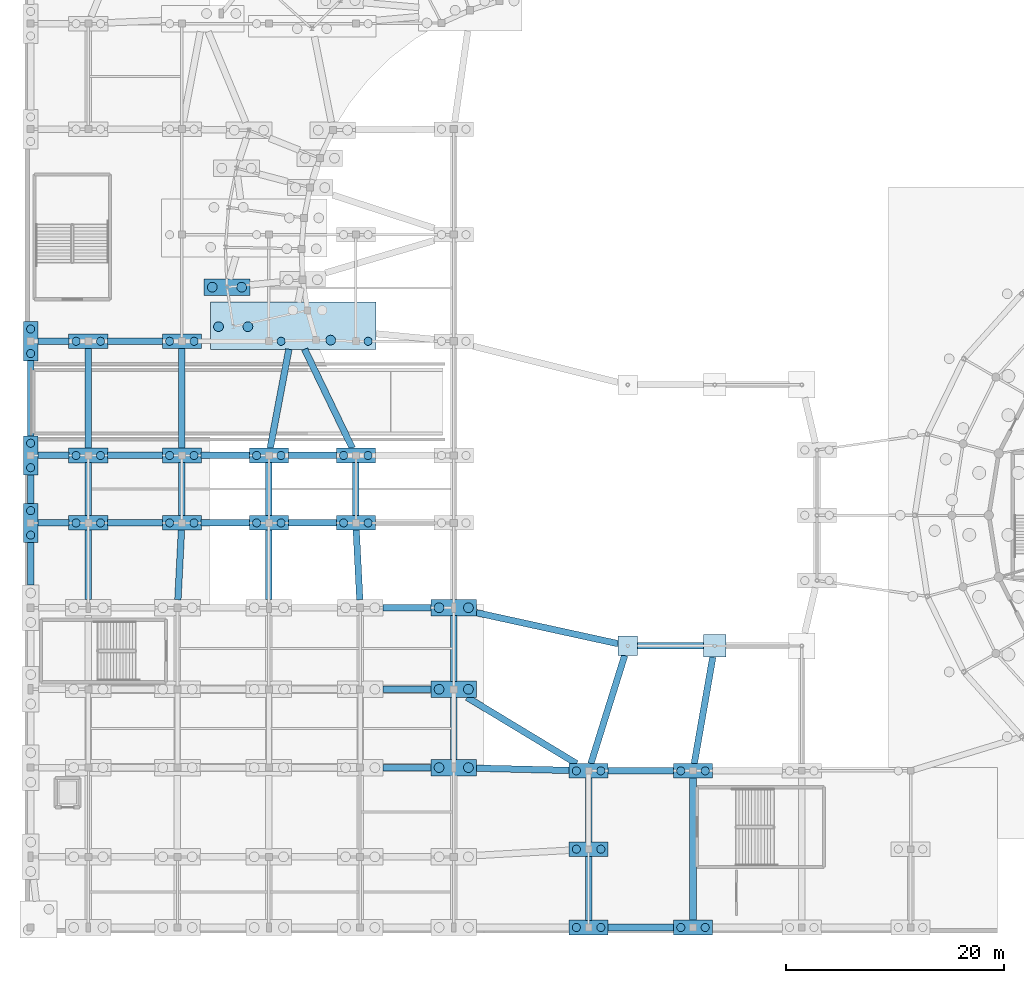
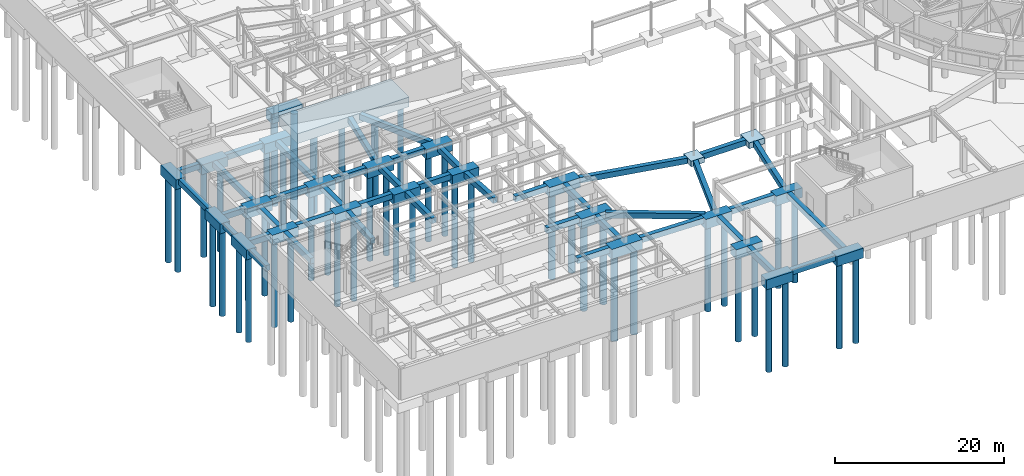
# One storey, part 2 of 68: 66 footings, 49 piles.
"""IFC4 building model written with IfcOpenShell, lengths in metres."""

from ifc_helpers import new_model, si_unit, direction, frame, origin, origin_2d, place, context, subcontext, project, spatial, rectangle, circle, extrude, material, layer, layer_set, material_profile, profile_set, type_object, element, save


model = new_model("IFC4")

# Units and contexts
model_context = context("Model", 3, precision=1e-05, world=origin(), true_north=direction((0.0, 1.0)))
body_context = subcontext(model_context, "Body", "Model", "MODEL_VIEW")
ifc_project = project(units=[si_unit("LENGTHUNIT", "METRE"), si_unit("AREAUNIT", "SQUARE_METRE"), si_unit("VOLUMEUNIT", "CUBIC_METRE"), si_unit("PLANEANGLEUNIT", "RADIAN"), si_unit("MASSUNIT", "GRAM", prefix="KILO")], contexts=[model_context])

# Site, building, storey
site_placement = place(None, origin())
site = spatial("IfcSite", under=ifc_project, at=site_placement, CompositionType="ELEMENT")
building_placement = place(site_placement, origin())
building = spatial("IfcBuilding", under=site, at=building_placement, Name="Cinderbank Siding Concert Hall", CompositionType="ELEMENT")
storey_placement = place(building_placement, frame((0.0, 0.0, -4.800048828125)))
storey = spatial("IfcBuildingStorey", under=building, at=storey_placement, Name="B1", CompositionType="ELEMENT", Elevation=-4.800048828125)

# Piles
ifc_material = material(Name="Reinforced concrete AS 3600 N40 (40 MPa)", Category="concrete")
ifc_material_profile_1 = material_profile(ifc_material, circle(Radius=0.375, at=origin_2d()), Name="PILE-750DIA", Category="LoadBearing")
ifc_profile_set_1 = profile_set([ifc_material_profile_1], Name="Reinforced concrete AS 3600 N40 (40 MPa)")
pile_type_1 = type_object("IfcPileType", Name="BP-750 Bored Pile 750mm", PredefinedType="BORED", material=ifc_profile_set_1)
for number, where, z_axis, x_axis, name in (
    (1, (30.125, 60.0, -1.300048828125), (0.0, 0.0, -1.0), (1.0, 0.0, 0.0), "Bored Pile BP-750 #219"),
    (2, (38.125, 60.0, -1.300048828125), (0.0, 0.0, -1.0), (1.0, 0.0, 0.0), "Bored Pile BP-750 #221"),
    (3, (57.27490234375, 6.10009765625, -1.300048828125), (0.0, 0.0, -1.0), (1.0, 0.0, 0.0), "Bored Pile BP-750 #399"),
    (4, (59.52490234375, 6.10009765625, -1.300048828125), (0.0, 0.0, -1.0), (1.0, 0.0, 0.0), "Bored Pile BP-750 #400"),
    (5, (57.27490234375, 13.300048828125, -1.300048828125), (0.0, 0.0, -1.0), (1.0, 0.0, 0.0), "Bored Pile BP-750 #401"),
    (6, (59.52490234375, 13.300048828125, -1.300048828125), (0.0, 0.0, -1.0), (1.0, 0.0, 0.0), "Bored Pile BP-750 #402"),
    (7, (57.27490234375, 20.5, -1.300048828125), (0.0, 0.0, -1.0), (1.0, 0.0, 0.0), "Bored Pile BP-750 #403"),
    (8, (59.52490234375, 20.5, -1.300048828125), (0.0, 0.0, -1.0), (1.0, 0.0, 0.0), "Bored Pile BP-750 #404"),
    (9, (66.875, 6.10009765625, -1.300048828125), (0.0, 0.0, -1.0), (1.0, 0.0, 0.0), "Bored Pile BP-750 #405"),
    (10, (69.125, 6.10009765625, -1.300048828125), (0.0, 0.0, -1.0), (1.0, 0.0, 0.0), "Bored Pile BP-750 #406"),
    (11, (66.875, 20.5, -1.300048828125), (0.0, 0.0, -1.0), (1.0, 0.0, 0.0), "Bored Pile BP-750 #407"),
    (12, (69.125, 20.5, -1.300048828125), (0.0, 0.0, -1.0), (1.0, 0.0, 0.0), "Bored Pile BP-750 #408"),
    (13, (7.10009765625, 42.175048828125, -1.300048828125), (0.0, 0.0, -1.0), (1.0, 0.0, 0.0), "Bored Pile BP-750 #431"),
    (14, (7.10009765625, 44.425048828125, -1.300048828125), (0.0, 0.0, -1.0), (1.0, 0.0, 0.0), "Bored Pile BP-750 #432"),
    (15, (7.10009765625, 48.375, -1.300048828125), (0.0, 0.0, -1.0), (1.0, 0.0, 0.0), "Bored Pile BP-750 #433"),
    (16, (7.10009765625, 50.625, -1.300048828125), (0.0, 0.0, -1.0), (1.0, 0.0, 0.0), "Bored Pile BP-750 #434"),
    (17, (7.10009765625, 58.875, -1.300048828125), (0.0, 0.0, -1.0), (1.0, 0.0, 0.0), "Bored Pile BP-750 #435"),
    (18, (7.10009765625, 61.125, -1.300048828125), (0.0, 0.0, -1.0), (1.0, 0.0, 0.0), "Bored Pile BP-750 #436"),
    (19, (11.27490234375, 43.300048828125, -1.300048828125), (0.0, 0.0, -1.0), (1.0, 0.0, 0.0), "Bored Pile BP-750 #441"),
    (20, (13.52490234375, 43.300048828125, -1.300048828125), (0.0, 0.0, -1.0), (1.0, 0.0, 0.0), "Bored Pile BP-750 #442"),
    (21, (11.27490234375, 49.5, -1.300048828125), (0.0, 0.0, -1.0), (1.0, 0.0, 0.0), "Bored Pile BP-750 #443"),
    (22, (13.52490234375, 49.5, -1.300048828125), (0.0, 0.0, -1.0), (1.0, 0.0, 0.0), "Bored Pile BP-750 #444"),
    (23, (11.27490234375, 60.0, -1.300048828125), (0.0, 0.0, -1.0), (1.0, 0.0, 0.0), "Bored Pile BP-750 #445"),
    (24, (13.52490234375, 60.0, -1.300048828125), (0.0, 0.0, -1.0), (1.0, 0.0, 0.0), "Bored Pile BP-750 #446"),
    (25, (19.875, 43.300048828125, -1.300048828125), (0.0, 0.0, -1.0), (1.0, 0.0, 0.0), "Bored Pile BP-750 #451"),
    (26, (22.125, 43.300048828125, -1.300048828125), (0.0, 0.0, -1.0), (1.0, 0.0, 0.0), "Bored Pile BP-750 #452"),
    (27, (19.875, 49.5, -1.300048828125), (0.0, 0.0, -1.0), (1.0, 0.0, 0.0), "Bored Pile BP-750 #453"),
    (28, (22.125, 49.5, -1.300048828125), (0.0, 0.0, -1.0), (1.0, 0.0, 0.0), "Bored Pile BP-750 #454"),
    (29, (19.875, 60.0, -1.300048828125), (0.0, 0.0, -1.0), (1.0, 0.0, 0.0), "Bored Pile BP-750 #455"),
    (30, (22.125, 60.0, -1.300048828125), (0.0, 0.0, -1.0), (1.0, 0.0, 0.0), "Bored Pile BP-750 #456"),
    (31, (27.875, 43.300048828125, -1.300048828125), (0.0, 0.0, -1.0), (1.0, 0.0, 0.0), "Bored Pile BP-750 #459"),
    (32, (30.125, 43.300048828125, -1.300048828125), (0.0, 0.0, -1.0), (1.0, 0.0, 0.0), "Bored Pile BP-750 #460"),
    (33, (27.875, 49.5, -1.300048828125), (0.0, 0.0, -1.0), (1.0, 0.0, 0.0), "Bored Pile BP-750 #461"),
    (34, (30.125, 49.5, -1.300048828125), (0.0, 0.0, -1.0), (1.0, 0.0, 0.0), "Bored Pile BP-750 #462"),
    (35, (35.875, 43.300048828125, -1.300048828125), (0.0, 0.0, -1.0), (1.0, 0.0, 0.0), "Bored Pile BP-750 #463"),
    (36, (38.125, 43.300048828125, -1.300048828125), (0.0, 0.0, -1.0), (1.0, 0.0, 0.0), "Bored Pile BP-750 #464"),
    (37, (35.875, 49.5, -1.300048828125), (0.0, 0.0, -1.0), (1.0, 0.0, 0.0), "Bored Pile BP-750 #465"),
    (38, (38.125, 49.5, -1.300048828125), (0.0, 0.0, -1.0), (1.0, 0.0, 0.0), "Bored Pile BP-750 #466"),
):
    element("IfcPile", number, at=place(storey_placement, frame(where, z_axis=z_axis, x_axis=x_axis)), inside=storey, type_object=pile_type_1, Name=name, PredefinedType="BORED", context=body_context, shape_type="SweptSolid", body=[
        extrude(circle(Radius=0.375, at=origin_2d()), origin(), (0.0, 0.0, 1.0), 12.39990234375),
    ])
ifc_material_profile_2 = material_profile(ifc_material, circle(Radius=0.449951171875, at=origin_2d()), Name="PILE-900DIA", Category="LoadBearing")
ifc_profile_set_2 = profile_set([ifc_material_profile_2], Name="Reinforced concrete AS 3600 N40 (40 MPa)")
pile_type_2 = type_object("IfcPileType", Name="BP-900 Bored Pile 900mm", PredefinedType="BORED", material=ifc_profile_set_2)
for number, where, z_axis, x_axis, name in (
    (39, (23.798095703125, 64.97509765625, -1.300048828125), (0.0, 0.0, -1.0), (1.0, 0.0, 0.0), "Bored Pile BP-900 #213"),
    (40, (26.498046875, 64.97509765625, -1.300048828125), (0.0, 0.0, -1.0), (1.0, 0.0, 0.0), "Bored Pile BP-900 #214"),
    (41, (24.373046875, 61.343017578125, -1.300048828125), (0.0, 0.0, -1.0), (1.0, 0.0, 0.0), "Bored Pile BP-900 #217"),
    (42, (27.072998046875, 61.343017578125, -1.300048828125), (0.0, 0.0, -1.0), (1.0, 0.0, 0.0), "Bored Pile BP-900 #218"),
    (43, (34.68505859375, 60.10693359375, -1.300048828125), (0.0, 0.0, -1.0), (1.0, 0.0, 0.0), "Bored Pile BP-900 #220"),
    (44, (44.64990234375, 20.800048828125, -1.300048828125), (0.0, 0.0, -1.0), (1.0, 0.0, 0.0), "Bored Pile BP-900 #276"),
    (45, (47.35009765625, 20.800048828125, -1.300048828125), (0.0, 0.0, -1.0), (1.0, 0.0, 0.0), "Bored Pile BP-900 #277"),
    (46, (44.64990234375, 28.0, -1.300048828125), (0.0, 0.0, -1.0), (1.0, 0.0, 0.0), "Bored Pile BP-900 #278"),
    (47, (47.35009765625, 28.0, -1.300048828125), (0.0, 0.0, -1.0), (1.0, 0.0, 0.0), "Bored Pile BP-900 #279"),
    (48, (44.64990234375, 35.5, -1.300048828125), (0.0, 0.0, -1.0), (1.0, 0.0, 0.0), "Bored Pile BP-900 #280"),
    (49, (47.35009765625, 35.5, -1.300048828125), (0.0, 0.0, -1.0), (1.0, 0.0, 0.0), "Bored Pile BP-900 #281"),
):
    element("IfcPile", number, at=place(storey_placement, frame(where, z_axis=z_axis, x_axis=x_axis)), inside=storey, type_object=pile_type_2, Name=name, PredefinedType="BORED", context=body_context, shape_type="SweptSolid", body=[
        extrude(circle(Radius=0.449951171875, at=origin_2d()), origin(), (0.0, 0.0, 1.0), 12.39990234375),
    ])

# Footings
ifc_material_profile_3 = material_profile(ifc_material, rectangle(XDim=0.60009765625, YDim=0.800048828125, at=origin_2d()), Name="RC-FB-600x800", Category="LoadBearing")
ifc_profile_set_3 = profile_set([ifc_material_profile_3], Name="Reinforced concrete AS 3600 N40 (40 MPa)")
footing_type_1 = type_object("IfcFootingType", Name="FB-01 Tie Beam 600x800", PredefinedType="FOOTING_BEAM", material=ifc_profile_set_3)
footing_1_placement = place(storey_placement, frame((7.10009765625, 37.5849609375, -0.39990234375), z_axis=(0.0, 1.0, 0.0), x_axis=(-1.0, 0.0, 0.0)))
element("IfcFooting", 50, at=footing_1_placement, inside=storey, type_object=footing_type_1, Name="Foundation Tie Beam #27", PredefinedType="FOOTING_BEAM", context=body_context, shape_type="SweptSolid", body=[
    extrude(rectangle(XDim=0.60009765625, YDim=0.800048828125, at=origin_2d()), origin(), (0.0, 0.0, 1.0), 3.929931640625),
])
footing_2_placement = place(storey_placement, frame((12.39990234375, 36.235107421875, -0.39990234375), z_axis=(0.0, 1.0, 0.0), x_axis=(-1.0, 0.0, 0.0)))
element("IfcFooting", 51, at=footing_2_placement, inside=storey, type_object=footing_type_1, Name="Foundation Tie Beam #37", PredefinedType="FOOTING_BEAM", context=body_context, shape_type="SweptSolid", body=[
    extrude(rectangle(XDim=0.60009765625, YDim=0.800048828125, at=origin_2d()), origin(), (0.0, 0.0, 1.0), 6.40478515625),
])
footing_3_placement = place(storey_placement, frame((20.6376953125, 36.235107421875, -0.39990234375), z_axis=(0.051240064321, 0.998686365086, 0.0), x_axis=(-0.998686365086, 0.051240064321, 0.0)))
element("IfcFooting", 52, at=footing_3_placement, inside=storey, type_object=footing_type_1, Name="Foundation Tie Beam #47", PredefinedType="FOOTING_BEAM", context=body_context, shape_type="SweptSolid", body=[
    extrude(rectangle(XDim=0.60009765625, YDim=0.800048828125, at=origin_2d()), origin(), (0.0, 0.0, 1.0), 6.413330078125),
])
footing_4_placement = place(storey_placement, frame((29.0, 36.235107421875, -0.39990234375), z_axis=(0.0, 1.0, 0.0), x_axis=(-1.0, 0.0, 0.0)))
element("IfcFooting", 53, at=footing_4_placement, inside=storey, type_object=footing_type_1, Name="Foundation Tie Beam #57", PredefinedType="FOOTING_BEAM", context=body_context, shape_type="SweptSolid", body=[
    extrude(rectangle(XDim=0.60009765625, YDim=0.800048828125, at=origin_2d()), origin(), (0.0, 0.0, 1.0), 6.40478515625),
])
for number, where, z_axis, x_axis, name in (
    (54, (39.485107421875, 20.800048828125, -0.39990234375), (1.0, 0.0, 0.0), (0.0, 1.0, 0.0), "Foundation Tie Beam #62"),
    (55, (39.485107421875, 28.0, -0.39990234375), (1.0, 0.0, 0.0), (0.0, 1.0, 0.0), "Foundation Tie Beam #64"),
    (56, (39.485107421875, 35.5, -0.39990234375), (1.0, 0.0, 0.0), (0.0, 1.0, 0.0), "Foundation Tie Beam #66"),
):
    element("IfcFooting", number, at=place(storey_placement, frame(where, z_axis=z_axis, x_axis=x_axis)), inside=storey, type_object=footing_type_1, Name=name, PredefinedType="FOOTING_BEAM", context=body_context, shape_type="SweptSolid", body=[
        extrude(rectangle(XDim=0.60009765625, YDim=0.800048828125, at=origin_2d()), origin(), (0.0, 0.0, 1.0), 4.429931640625),
    ])
footing_5_placement = place(storey_placement, frame((37.3623046875, 36.235107421875, -0.39990234375), z_axis=(-0.051240064321, 0.998686365086, 0.0), x_axis=(-0.998686365086, -0.051240064321, 0.0)))
element("IfcFooting", 57, at=footing_5_placement, inside=storey, type_object=footing_type_1, Name="Foundation Tie Beam #67", PredefinedType="FOOTING_BEAM", context=body_context, shape_type="SweptSolid", body=[
    extrude(rectangle(XDim=0.60009765625, YDim=0.800048828125, at=origin_2d()), origin(), (0.0, 0.0, 1.0), 6.413330078125),
])
footing_6_placement = place(storey_placement, frame((48.0849609375, 20.74951171875, -0.39990234375), z_axis=(0.999707670925, -0.024177938176, 0.0), x_axis=(0.024177938176, 0.999707670925, 0.0)))
element("IfcFooting", 58, at=footing_6_placement, inside=storey, type_object=footing_type_1, Name="Foundation Tie Beam #72", PredefinedType="FOOTING_BEAM", context=body_context, shape_type="SweptSolid", body=[
    extrude(rectangle(XDim=0.60009765625, YDim=0.800048828125, at=origin_2d()), origin(), (0.0, 0.0, 1.0), 8.532470703125),
])
footing_7_placement = place(storey_placement, frame((46.0, 21.534912109375, -0.39990234375), z_axis=(0.0, 1.0, 0.0), x_axis=(-1.0, 0.0, 0.0)))
element("IfcFooting", 59, at=footing_7_placement, inside=storey, type_object=footing_type_1, Name="Foundation Tie Beam #73", PredefinedType="FOOTING_BEAM", context=body_context, shape_type="SweptSolid", body=[
    extrude(rectangle(XDim=0.60009765625, YDim=0.800048828125, at=origin_2d()), origin(), (0.0, 0.0, 1.0), 5.72998046875),
])
footing_8_placement = place(storey_placement, frame((47.227294921875, 27.2578125, -0.39990234375), z_axis=(0.855656994243, -0.517543339444, 0.0), x_axis=(0.517543339444, 0.855656994243, 0.0)))
element("IfcFooting", 60, at=footing_8_placement, inside=storey, type_object=footing_type_1, Name="Foundation Tie Beam #74", PredefinedType="FOOTING_BEAM", context=body_context, shape_type="SweptSolid", body=[
    extrude(rectangle(XDim=0.60009765625, YDim=0.800048828125, at=origin_2d()), origin(), (0.0, 0.0, 1.0), 11.768310546875),
])
footing_9_placement = place(storey_placement, frame((46.0, 28.735107421875, -0.39990234375), z_axis=(0.0, 1.0, 0.0), x_axis=(-1.0, 0.0, 0.0)))
element("IfcFooting", 61, at=footing_9_placement, inside=storey, type_object=footing_type_1, Name="Foundation Tie Beam #75", PredefinedType="FOOTING_BEAM", context=body_context, shape_type="SweptSolid", body=[
    extrude(rectangle(XDim=0.60009765625, YDim=0.800048828125, at=origin_2d()), origin(), (0.0, 0.0, 1.0), 6.02978515625),
])
footing_10_placement = place(storey_placement, frame((48.085205078125, 35.043701171875, -0.39990234375), z_axis=(0.976901808592, -0.213688690317, 0.0), x_axis=(0.213688690317, 0.976901808592, 0.0)))
element("IfcFooting", 62, at=footing_10_placement, inside=storey, type_object=footing_type_1, Name="Foundation Tie Beam #76", PredefinedType="FOOTING_BEAM", context=body_context, shape_type="SweptSolid", body=[
    extrude(rectangle(XDim=0.60009765625, YDim=0.800048828125, at=origin_2d()), origin(), (0.0, 0.0, 1.0), 13.337646484375),
])
footing_11_placement = place(storey_placement, frame((60.18505859375, 6.10009765625, -0.39990234375), z_axis=(1.0, 0.0, 0.0), x_axis=(0.0, 1.0, 0.0)))
element("IfcFooting", 63, at=footing_11_placement, inside=storey, type_object=footing_type_1, Name="Foundation Tie Beam #166", PredefinedType="FOOTING_BEAM", context=body_context, shape_type="SweptSolid", body=[
    extrude(rectangle(XDim=0.60009765625, YDim=0.800048828125, at=origin_2d()), origin(), (0.0, 0.0, 1.0), 6.030029296875),
])
footing_12_placement = place(storey_placement, frame((58.39990234375, 6.760009765625, -0.39990234375), z_axis=(0.0, 1.0, 0.0), x_axis=(-1.0, 0.0, 0.0)))
element("IfcFooting", 64, at=footing_12_placement, inside=storey, type_object=footing_type_1, Name="Foundation Tie Beam #167", PredefinedType="FOOTING_BEAM", context=body_context, shape_type="SweptSolid", body=[
    extrude(rectangle(XDim=0.60009765625, YDim=0.800048828125, at=origin_2d()), origin(), (0.0, 0.0, 1.0), 5.8798828125),
])
footing_13_placement = place(storey_placement, frame((58.39990234375, 13.9599609375, -0.39990234375), z_axis=(0.0, 1.0, 0.0), x_axis=(-1.0, 0.0, 0.0)))
element("IfcFooting", 65, at=footing_13_placement, inside=storey, type_object=footing_type_1, Name="Foundation Tie Beam #168", PredefinedType="FOOTING_BEAM", context=body_context, shape_type="SweptSolid", body=[
    extrude(rectangle(XDim=0.60009765625, YDim=0.800048828125, at=origin_2d()), origin(), (0.0, 0.0, 1.0), 5.880126953125),
])
footing_14_placement = place(storey_placement, frame((60.18505859375, 20.5, -0.39990234375), z_axis=(1.0, 0.0, 0.0), x_axis=(0.0, 1.0, 0.0)))
element("IfcFooting", 66, at=footing_14_placement, inside=storey, type_object=footing_type_1, Name="Foundation Tie Beam #169", PredefinedType="FOOTING_BEAM", context=body_context, shape_type="SweptSolid", body=[
    extrude(rectangle(XDim=0.60009765625, YDim=0.800048828125, at=origin_2d()), origin(), (0.0, 0.0, 1.0), 6.030029296875),
])
footing_15_placement = place(storey_placement, frame((58.606689453125, 21.16064453125, -0.39990234375), z_axis=(0.29875210583, 0.954330749406, 0.0), x_axis=(-0.954330749406, 0.29875210583, 0.0)))
element("IfcFooting", 67, at=footing_15_placement, inside=storey, type_object=footing_type_1, Name="Foundation Tie Beam #170", PredefinedType="FOOTING_BEAM", context=body_context, shape_type="SweptSolid", body=[
    extrude(rectangle(XDim=0.60009765625, YDim=0.800048828125, at=origin_2d()), origin(), (0.0, 0.0, 1.0), 10.429931640625),
])
footing_16_placement = place(storey_placement, frame((68.0, 6.760009765625, -0.39990234375), z_axis=(0.0, 1.0, 0.0), x_axis=(-1.0, 0.0, 0.0)))
element("IfcFooting", 68, at=footing_16_placement, inside=storey, type_object=footing_type_1, Name="Foundation Tie Beam #172", PredefinedType="FOOTING_BEAM", context=body_context, shape_type="SweptSolid", body=[
    extrude(rectangle(XDim=0.60009765625, YDim=0.800048828125, at=origin_2d()), origin(), (0.0, 0.0, 1.0), 13.080078125),
])
footing_17_placement = place(storey_placement, frame((68.11474609375, 21.16015625, -0.39990234375), z_axis=(0.171356704223, 0.985209053916, 0.0), x_axis=(-0.985209053916, 0.171356704223, 0.0)))
element("IfcFooting", 69, at=footing_17_placement, inside=storey, type_object=footing_type_1, Name="Foundation Tie Beam #174", PredefinedType="FOOTING_BEAM", context=body_context, shape_type="SweptSolid", body=[
    extrude(rectangle(XDim=0.60009765625, YDim=0.800048828125, at=origin_2d()), origin(), (0.0, 0.0, 1.0), 9.951904296875),
])
footing_18_placement = place(storey_placement, frame((7.760009765625, 43.300048828125, -0.39990234375), z_axis=(1.0, 0.0, 0.0), x_axis=(0.0, 1.0, 0.0)))
element("IfcFooting", 70, at=footing_18_placement, inside=storey, type_object=footing_type_1, Name="Foundation Tie Beam #190", PredefinedType="FOOTING_BEAM", context=body_context, shape_type="SweptSolid", body=[
    extrude(rectangle(XDim=0.60009765625, YDim=0.800048828125, at=origin_2d()), origin(), (0.0, 0.0, 1.0), 2.85498046875),
])
footing_19_placement = place(storey_placement, frame((7.10009765625, 45.0849609375, -0.39990234375), z_axis=(0.0, 1.0, 0.0), x_axis=(-1.0, 0.0, 0.0)))
element("IfcFooting", 71, at=footing_19_placement, inside=storey, type_object=footing_type_1, Name="Foundation Tie Beam #191", PredefinedType="FOOTING_BEAM", context=body_context, shape_type="SweptSolid", body=[
    extrude(rectangle(XDim=0.60009765625, YDim=0.800048828125, at=origin_2d()), origin(), (0.0, 0.0, 1.0), 2.630126953125),
])
footing_20_placement = place(storey_placement, frame((7.760009765625, 49.5, -0.39990234375), z_axis=(1.0, 0.0, 0.0), x_axis=(0.0, 1.0, 0.0)))
element("IfcFooting", 72, at=footing_20_placement, inside=storey, type_object=footing_type_1, Name="Foundation Tie Beam #192", PredefinedType="FOOTING_BEAM", context=body_context, shape_type="SweptSolid", body=[
    extrude(rectangle(XDim=0.60009765625, YDim=0.800048828125, at=origin_2d()), origin(), (0.0, 0.0, 1.0), 2.85498046875),
])
footing_21_placement = place(storey_placement, frame((7.10009765625, 51.284912109375, -0.39990234375), z_axis=(0.0, 1.0, 0.0), x_axis=(-1.0, 0.0, 0.0)))
element("IfcFooting", 73, at=footing_21_placement, inside=storey, type_object=footing_type_1, Name="Foundation Tie Beam #193", PredefinedType="FOOTING_BEAM", context=body_context, shape_type="SweptSolid", body=[
    extrude(rectangle(XDim=0.60009765625, YDim=0.800048828125, at=origin_2d()), origin(), (0.0, 0.0, 1.0), 6.93017578125),
])
footing_22_placement = place(storey_placement, frame((7.760009765625, 60.0, -0.39990234375), z_axis=(1.0, 0.0, 0.0), x_axis=(0.0, 1.0, 0.0)))
element("IfcFooting", 74, at=footing_22_placement, inside=storey, type_object=footing_type_1, Name="Foundation Tie Beam #194", PredefinedType="FOOTING_BEAM", context=body_context, shape_type="SweptSolid", body=[
    extrude(rectangle(XDim=0.60009765625, YDim=0.800048828125, at=origin_2d()), origin(), (0.0, 0.0, 1.0), 2.85498046875),
])
footing_23_placement = place(storey_placement, frame((14.18505859375, 43.300048828125, -0.39990234375), z_axis=(1.0, 0.0, 0.0), x_axis=(0.0, 1.0, 0.0)))
element("IfcFooting", 75, at=footing_23_placement, inside=storey, type_object=footing_type_1, Name="Foundation Tie Beam #199", PredefinedType="FOOTING_BEAM", context=body_context, shape_type="SweptSolid", body=[
    extrude(rectangle(XDim=0.60009765625, YDim=0.800048828125, at=origin_2d()), origin(), (0.0, 0.0, 1.0), 5.030029296875),
])
footing_24_placement = place(storey_placement, frame((12.39990234375, 43.9599609375, -0.39990234375), z_axis=(0.0, 1.0, 0.0), x_axis=(-1.0, 0.0, 0.0)))
element("IfcFooting", 76, at=footing_24_placement, inside=storey, type_object=footing_type_1, Name="Foundation Tie Beam #200", PredefinedType="FOOTING_BEAM", context=body_context, shape_type="SweptSolid", body=[
    extrude(rectangle(XDim=0.60009765625, YDim=0.800048828125, at=origin_2d()), origin(), (0.0, 0.0, 1.0), 4.880126953125),
])
footing_25_placement = place(storey_placement, frame((14.18505859375, 49.5, -0.39990234375), z_axis=(1.0, 0.0, 0.0), x_axis=(0.0, 1.0, 0.0)))
element("IfcFooting", 77, at=footing_25_placement, inside=storey, type_object=footing_type_1, Name="Foundation Tie Beam #201", PredefinedType="FOOTING_BEAM", context=body_context, shape_type="SweptSolid", body=[
    extrude(rectangle(XDim=0.60009765625, YDim=0.800048828125, at=origin_2d()), origin(), (0.0, 0.0, 1.0), 5.030029296875),
])
footing_26_placement = place(storey_placement, frame((12.39990234375, 50.159912109375, -0.39990234375), z_axis=(0.0, 1.0, 0.0), x_axis=(-1.0, 0.0, 0.0)))
element("IfcFooting", 78, at=footing_26_placement, inside=storey, type_object=footing_type_1, Name="Foundation Tie Beam #202", PredefinedType="FOOTING_BEAM", context=body_context, shape_type="SweptSolid", body=[
    extrude(rectangle(XDim=0.60009765625, YDim=0.800048828125, at=origin_2d()), origin(), (0.0, 0.0, 1.0), 9.18017578125),
])
footing_27_placement = place(storey_placement, frame((14.18505859375, 60.0, -0.39990234375), z_axis=(1.0, 0.0, 0.0), x_axis=(0.0, 1.0, 0.0)))
element("IfcFooting", 79, at=footing_27_placement, inside=storey, type_object=footing_type_1, Name="Foundation Tie Beam #203", PredefinedType="FOOTING_BEAM", context=body_context, shape_type="SweptSolid", body=[
    extrude(rectangle(XDim=0.60009765625, YDim=0.800048828125, at=origin_2d()), origin(), (0.0, 0.0, 1.0), 5.030029296875),
])
footing_28_placement = place(storey_placement, frame((22.784912109375, 43.300048828125, -0.39990234375), z_axis=(1.0, 0.0, 0.0), x_axis=(0.0, 1.0, 0.0)))
element("IfcFooting", 80, at=footing_28_placement, inside=storey, type_object=footing_type_1, Name="Foundation Tie Beam #208", PredefinedType="FOOTING_BEAM", context=body_context, shape_type="SweptSolid", body=[
    extrude(rectangle(XDim=0.60009765625, YDim=0.800048828125, at=origin_2d()), origin(), (0.0, 0.0, 1.0), 4.43017578125),
])
footing_29_placement = place(storey_placement, frame((21.0, 43.9599609375, -0.39990234375), z_axis=(0.0, 1.0, 0.0), x_axis=(-1.0, 0.0, 0.0)))
element("IfcFooting", 81, at=footing_29_placement, inside=storey, type_object=footing_type_1, Name="Foundation Tie Beam #209", PredefinedType="FOOTING_BEAM", context=body_context, shape_type="SweptSolid", body=[
    extrude(rectangle(XDim=0.60009765625, YDim=0.800048828125, at=origin_2d()), origin(), (0.0, 0.0, 1.0), 4.880126953125),
])
footing_30_placement = place(storey_placement, frame((22.784912109375, 49.5, -0.39990234375), z_axis=(1.0, 0.0, 0.0), x_axis=(0.0, 1.0, 0.0)))
element("IfcFooting", 82, at=footing_30_placement, inside=storey, type_object=footing_type_1, Name="Foundation Tie Beam #210", PredefinedType="FOOTING_BEAM", context=body_context, shape_type="SweptSolid", body=[
    extrude(rectangle(XDim=0.60009765625, YDim=0.800048828125, at=origin_2d()), origin(), (0.0, 0.0, 1.0), 4.43017578125),
])
footing_31_placement = place(storey_placement, frame((21.0, 50.159912109375, -0.39990234375), z_axis=(0.0, 1.0, 0.0), x_axis=(-1.0, 0.0, 0.0)))
element("IfcFooting", 83, at=footing_31_placement, inside=storey, type_object=footing_type_1, Name="Foundation Tie Beam #211", PredefinedType="FOOTING_BEAM", context=body_context, shape_type="SweptSolid", body=[
    extrude(rectangle(XDim=0.60009765625, YDim=0.800048828125, at=origin_2d()), origin(), (0.0, 0.0, 1.0), 9.18017578125),
])
footing_32_placement = place(storey_placement, frame((30.784912109375, 43.300048828125, -0.39990234375), z_axis=(1.0, 0.0, 0.0), x_axis=(0.0, 1.0, 0.0)))
element("IfcFooting", 84, at=footing_32_placement, inside=storey, type_object=footing_type_1, Name="Foundation Tie Beam #214", PredefinedType="FOOTING_BEAM", context=body_context, shape_type="SweptSolid", body=[
    extrude(rectangle(XDim=0.60009765625, YDim=0.800048828125, at=origin_2d()), origin(), (0.0, 0.0, 1.0), 4.43017578125),
])
footing_33_placement = place(storey_placement, frame((29.0, 43.9599609375, -0.39990234375), z_axis=(0.0, 1.0, 0.0), x_axis=(-1.0, 0.0, 0.0)))
element("IfcFooting", 85, at=footing_33_placement, inside=storey, type_object=footing_type_1, Name="Foundation Tie Beam #215", PredefinedType="FOOTING_BEAM", context=body_context, shape_type="SweptSolid", body=[
    extrude(rectangle(XDim=0.60009765625, YDim=0.800048828125, at=origin_2d()), origin(), (0.0, 0.0, 1.0), 4.880126953125),
])
footing_34_placement = place(storey_placement, frame((30.784912109375, 49.5, -0.39990234375), z_axis=(1.0, 0.0, 0.0), x_axis=(0.0, 1.0, 0.0)))
element("IfcFooting", 86, at=footing_34_placement, inside=storey, type_object=footing_type_1, Name="Foundation Tie Beam #216", PredefinedType="FOOTING_BEAM", context=body_context, shape_type="SweptSolid", body=[
    extrude(rectangle(XDim=0.60009765625, YDim=0.800048828125, at=origin_2d()), origin(), (0.0, 0.0, 1.0), 4.43017578125),
])
footing_35_placement = place(storey_placement, frame((29.12451171875, 50.160400390625, -0.39990234375), z_axis=(0.185356007573, 0.982671435657, 0.0), x_axis=(-0.982671435657, 0.185356007573, 0.0)))
element("IfcFooting", 87, at=footing_35_placement, inside=storey, type_object=footing_type_1, Name="Foundation Tie Beam #217", PredefinedType="FOOTING_BEAM", context=body_context, shape_type="SweptSolid", body=[
    extrude(rectangle(XDim=0.60009765625, YDim=0.800048828125, at=origin_2d()), origin(), (0.0, 0.0, 1.0), 9.264892578125),
])
footing_36_placement = place(storey_placement, frame((37.0, 43.9599609375, -0.39990234375), z_axis=(0.0, 1.0, 0.0), x_axis=(-1.0, 0.0, 0.0)))
element("IfcFooting", 88, at=footing_36_placement, inside=storey, type_object=footing_type_1, Name="Foundation Tie Beam #219", PredefinedType="FOOTING_BEAM", context=body_context, shape_type="SweptSolid", body=[
    extrude(rectangle(XDim=0.60009765625, YDim=0.800048828125, at=origin_2d()), origin(), (0.0, 0.0, 1.0), 4.880126953125),
])
footing_37_placement = place(storey_placement, frame((36.680908203125, 50.16162109375, -0.39990234375), z_axis=(-0.434460550496, 0.900690862651, 0.0), x_axis=(-0.900690862651, -0.434460550496, 0.0)))
element("IfcFooting", 89, at=footing_37_placement, inside=storey, type_object=footing_type_1, Name="Foundation Tie Beam #221", PredefinedType="FOOTING_BEAM", context=body_context, shape_type="SweptSolid", body=[
    extrude(rectangle(XDim=0.60009765625, YDim=0.800048828125, at=origin_2d()), origin(), (0.0, 0.0, 1.0), 10.10546875),
])
footing_38_placement = place(storey_placement, frame((62.885009765625, 32.0, -0.39990234375), z_axis=(1.0, 0.0, 0.0), x_axis=(0.0, 1.0, 0.0)))
element("IfcFooting", 90, at=footing_38_placement, inside=storey, type_object=footing_type_1, Name="Foundation Tie Beam #244", PredefinedType="FOOTING_BEAM", context=body_context, shape_type="SweptSolid", body=[
    extrude(rectangle(XDim=0.60009765625, YDim=0.800048828125, at=origin_2d()), origin(), (0.0, 0.0, 1.0), 6.080078125),
])
ifc_layer_1 = layer(ifc_material, 1.39990234375)
ifc_layer_set_1 = layer_set([ifc_layer_1], Name="Reinforced concrete AS 3600 N40 (40 MPa)")
footing_type_2 = type_object("IfcFootingType", Name="PC-05 Pile Cap 4200x1500x1400", PredefinedType="PILE_CAP", material=ifc_layer_set_1)
for number, where, z_axis, x_axis, name in (
    (91, (25.14794921875, 64.97509765625, -1.39990234375), (0.0, 0.0, 1.0), (1.0, 0.0, 0.0), "Pile Cap PC-05 #15"),
    (92, (46.0, 20.800048828125, -1.39990234375), (0.0, 0.0, 1.0), (1.0, 0.0, 0.0), "Pile Cap PC-05 #44"),
    (93, (46.0, 28.0, -1.39990234375), (0.0, 0.0, 1.0), (1.0, 0.0, 0.0), "Pile Cap PC-05 #45"),
    (94, (46.0, 35.5, -1.39990234375), (0.0, 0.0, 1.0), (1.0, 0.0, 0.0), "Pile Cap PC-05 #46"),
):
    element("IfcFooting", number, at=place(storey_placement, frame(where, z_axis=z_axis, x_axis=x_axis)), inside=storey, type_object=footing_type_2, Name=name, PredefinedType="PILE_CAP", context=body_context, shape_type="SweptSolid", body=[
        extrude(rectangle(XDim=4.199951171875, YDim=1.5, at=origin_2d()), origin(), (0.0, 0.0, 1.0), 1.39990234375),
    ])
ifc_layer_2 = layer(ifc_material, 1.39990234375)
ifc_layer_set_2 = layer_set([ifc_layer_2], Name="Reinforced concrete AS 3600 N40 (40 MPa)")
footing_type_3 = type_object("IfcFootingType", Name="PC-09 Pile Cap 15252x4346x1400", PredefinedType="PILE_CAP", material=ifc_layer_set_2)
footing_39_placement = place(storey_placement, frame((31.2490234375, 61.423095703125, -1.39990234375), z_axis=(0.0, 0.0, 1.0), x_axis=(1.0, 0.0, 0.0)))
element("IfcFooting", 95, at=footing_39_placement, inside=storey, type_object=footing_type_3, Name="Pile Cap PC-09 #16", PredefinedType="PILE_CAP", context=body_context, shape_type="SweptSolid", body=[
    extrude(rectangle(XDim=15.251953125, YDim=4.345947265625, at=origin_2d()), origin(), (0.0, 0.0, 1.0), 1.39990234375),
])
ifc_layer_3 = layer(ifc_material, 1.39990234375)
ifc_layer_set_3 = layer_set([ifc_layer_3], Name="Reinforced concrete AS 3600 N40 (40 MPa)")
footing_type_4 = type_object("IfcFootingType", Name="PC-13 Pile Cap 3600x1350x1400", PredefinedType="PILE_CAP", material=ifc_layer_set_3)
for number, where, z_axis, x_axis, name in (
    (96, (58.39990234375, 6.10009765625, -1.39990234375), (0.0, 0.0, 1.0), (1.0, 0.0, 0.0), "Pile Cap PC-13 #105"),
    (97, (58.39990234375, 13.300048828125, -1.39990234375), (0.0, 0.0, 1.0), (1.0, 0.0, 0.0), "Pile Cap PC-13 #106"),
    (98, (58.39990234375, 20.5, -1.39990234375), (0.0, 0.0, 1.0), (1.0, 0.0, 0.0), "Pile Cap PC-13 #107"),
    (99, (68.0, 6.10009765625, -1.39990234375), (0.0, 0.0, 1.0), (1.0, 0.0, 0.0), "Pile Cap PC-13 #108"),
    (100, (68.0, 20.5, -1.39990234375), (0.0, 0.0, 1.0), (1.0, 0.0, 0.0), "Pile Cap PC-13 #109"),
    (101, (12.39990234375, 43.300048828125, -1.39990234375), (0.0, 0.0, 1.0), (1.0, 0.0, 0.0), "Pile Cap PC-13 #126"),
    (102, (12.39990234375, 49.5, -1.39990234375), (0.0, 0.0, 1.0), (1.0, 0.0, 0.0), "Pile Cap PC-13 #127"),
    (103, (12.39990234375, 60.0, -1.39990234375), (0.0, 0.0, 1.0), (1.0, 0.0, 0.0), "Pile Cap PC-13 #128"),
    (104, (21.0, 43.300048828125, -1.39990234375), (0.0, 0.0, 1.0), (1.0, 0.0, 0.0), "Pile Cap PC-13 #131"),
    (105, (21.0, 49.5, -1.39990234375), (0.0, 0.0, 1.0), (1.0, 0.0, 0.0), "Pile Cap PC-13 #132"),
    (106, (21.0, 60.0, -1.39990234375), (0.0, 0.0, 1.0), (1.0, 0.0, 0.0), "Pile Cap PC-13 #133"),
    (107, (29.0, 43.300048828125, -1.39990234375), (0.0, 0.0, 1.0), (1.0, 0.0, 0.0), "Pile Cap PC-13 #135"),
    (108, (29.0, 49.5, -1.39990234375), (0.0, 0.0, 1.0), (1.0, 0.0, 0.0), "Pile Cap PC-13 #136"),
    (109, (37.0, 43.300048828125, -1.39990234375), (0.0, 0.0, 1.0), (1.0, 0.0, 0.0), "Pile Cap PC-13 #137"),
    (110, (37.0, 49.5, -1.39990234375), (0.0, 0.0, 1.0), (1.0, 0.0, 0.0), "Pile Cap PC-13 #138"),
):
    element("IfcFooting", number, at=place(storey_placement, frame(where, z_axis=z_axis, x_axis=x_axis)), inside=storey, type_object=footing_type_4, Name=name, PredefinedType="PILE_CAP", context=body_context, shape_type="SweptSolid", body=[
        extrude(rectangle(XDim=3.60009765625, YDim=1.35009765625, at=origin_2d()), origin(), (0.0, 0.0, 1.0), 1.39990234375),
    ])
ifc_layer_4 = layer(ifc_material, 1.39990234375)
ifc_layer_set_4 = layer_set([ifc_layer_4], Name="Reinforced concrete AS 3600 N40 (40 MPa)")
footing_type_5 = type_object("IfcFootingType", Name="PC-15 Pile Cap 1350x3600x1400", PredefinedType="PILE_CAP", material=ifc_layer_set_4)
for number, where, z_axis, x_axis, name in (
    (111, (7.10009765625, 43.300048828125, -1.39990234375), (0.0, 0.0, 1.0), (1.0, 0.0, 0.0), "Pile Cap PC-15 #121"),
    (112, (7.10009765625, 49.5, -1.39990234375), (0.0, 0.0, 1.0), (1.0, 0.0, 0.0), "Pile Cap PC-15 #122"),
    (113, (7.10009765625, 60.0, -1.39990234375), (0.0, 0.0, 1.0), (1.0, 0.0, 0.0), "Pile Cap PC-15 #123"),
):
    element("IfcFooting", number, at=place(storey_placement, frame(where, z_axis=z_axis, x_axis=x_axis)), inside=storey, type_object=footing_type_5, Name=name, PredefinedType="PILE_CAP", context=body_context, shape_type="SweptSolid", body=[
        extrude(rectangle(XDim=1.35009765625, YDim=3.60009765625, at=origin_2d()), origin(), (0.0, 0.0, 1.0), 1.39990234375),
    ])
ifc_layer_5 = layer(ifc_material, 0.800048828125)
ifc_layer_set_5 = layer_set([ifc_layer_5], Name="Reinforced concrete AS 3600 N40 (40 MPa)")
footing_type_6 = type_object("IfcFootingType", Name="PF-01 Pad Footing 1800x1800x800", PredefinedType="PAD_FOOTING", material=ifc_layer_set_5)
footing_40_placement = place(storey_placement, frame((62.0, 32.0, -0.7998046875), z_axis=(0.0, 0.0, 1.0), x_axis=(1.0, 0.0, 0.0)))
element("IfcFooting", 114, at=footing_40_placement, inside=storey, type_object=footing_type_6, Name="Pad Footing PF-01 COL-PAD-01", PredefinedType="PAD_FOOTING", context=body_context, shape_type="SweptSolid", body=[
    extrude(rectangle(XDim=1.800048828125, YDim=1.800048828125, at=origin_2d()), origin(), (0.0, 0.0, 1.0), 0.800048828125),
])
ifc_layer_6 = layer(ifc_material, 0.85009765625)
ifc_layer_set_6 = layer_set([ifc_layer_6], Name="Reinforced concrete AS 3600 N40 (40 MPa)")
footing_type_7 = type_object("IfcFootingType", Name="PF-02 Pad Footing 2100x2100x850", PredefinedType="PAD_FOOTING", material=ifc_layer_set_6)
footing_41_placement = place(storey_placement, frame((70.0, 32.0, -0.85009765625), z_axis=(0.0, 0.0, 1.0), x_axis=(1.0, 0.0, 0.0)))
element("IfcFooting", 115, at=footing_41_placement, inside=storey, type_object=footing_type_7, Name="Pad Footing PF-02 COL-PAD-02", PredefinedType="PAD_FOOTING", context=body_context, shape_type="SweptSolid", body=[
    extrude(rectangle(XDim=2.10009765625, YDim=2.10009765625, at=origin_2d()), origin(), (0.0, 0.0, 1.0), 0.85009765625),
])

save(model, "model.ifc")
